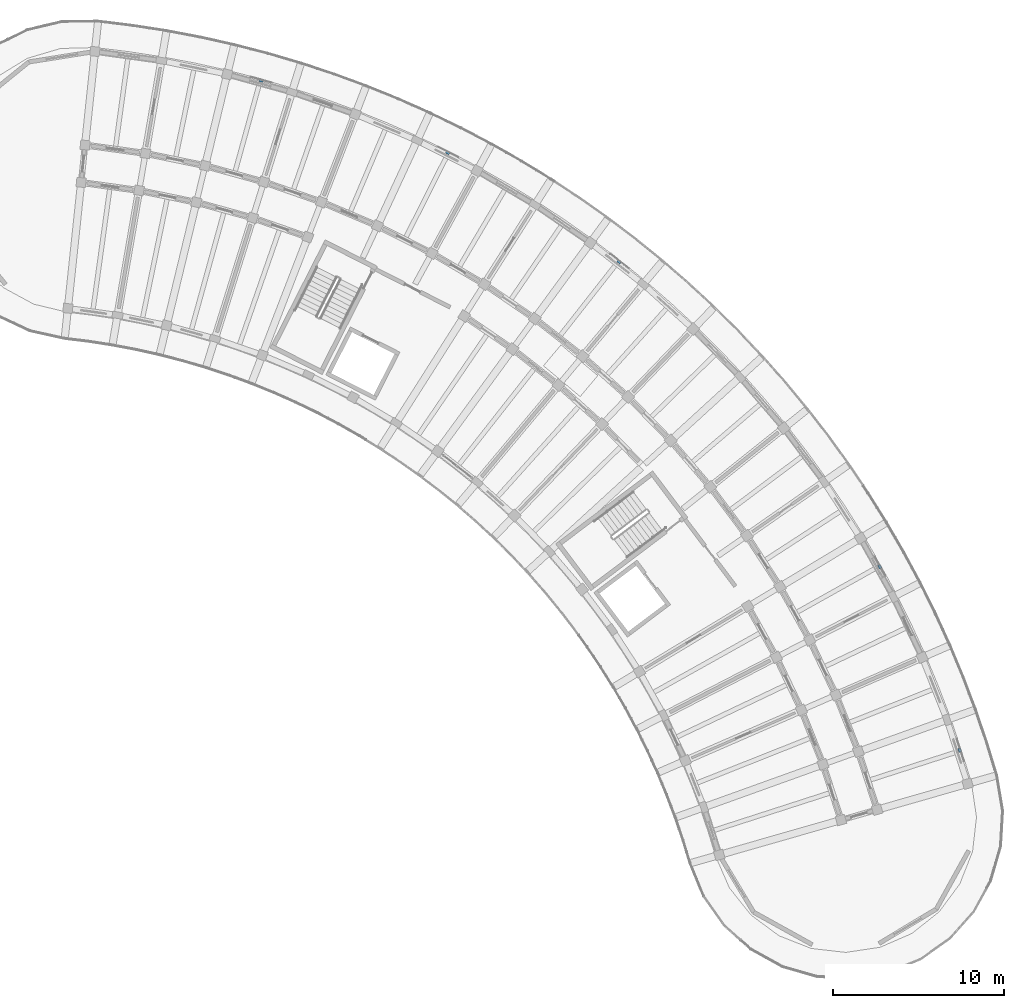
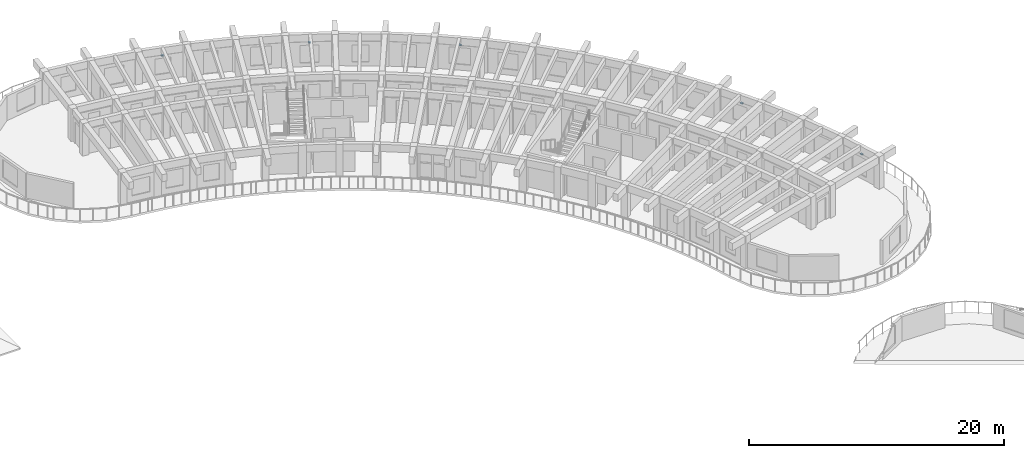
# One storey, part 64 of 81: 5 discrete accessories.
"""IFC4 building model written with IfcOpenShell, lengths in metres."""

from ifc_helpers import new_model, si_unit, direction, frame, origin, origin_2d, place, context, subcontext, project, spatial, rectangle, extrude, material, type_object, element, save


model = new_model("IFC4")

# Units and contexts
model_context = context("Model", 3, precision=1e-05, world=origin(), true_north=direction((0.0, 1.0)))
body_context = subcontext(model_context, "Body", "Model", "MODEL_VIEW")
ifc_project = project(units=[si_unit("LENGTHUNIT", "METRE"), si_unit("AREAUNIT", "SQUARE_METRE"), si_unit("VOLUMEUNIT", "CUBIC_METRE"), si_unit("PLANEANGLEUNIT", "RADIAN"), si_unit("MASSUNIT", "GRAM", prefix="KILO")], contexts=[model_context])

# Site, building, storey
site_placement = place(None, origin())
site = spatial("IfcSite", under=ifc_project, at=site_placement, CompositionType="ELEMENT")
building_placement = place(site_placement, origin())
building = spatial("IfcBuilding", under=site, at=building_placement, Name="Tanwirah Colonnade Gardens", CompositionType="ELEMENT")
storey_placement = place(building_placement, frame((0.0, 0.0, 8.840087890625)))
storey = spatial("IfcBuildingStorey", under=building, at=storey_placement, Name="L02", CompositionType="ELEMENT", Elevation=8.840087890625)

# Discrete accessories
ifc_material = material(Name="Steel S355", Category="steel")
discrete_accessory_type = type_object("IfcDiscreteAccessoryType", Name="BRK-SS1", PredefinedType="BRACKET", material=ifc_material)
for number, where, z_axis, x_axis, name in (
    (1, (177.788818359375, 78.57470703125, 2.0498046875), (0.0, 0.0, 1.0), (-0.307171739363, 0.951654098156, 0.0), "Solar screen support bracket B-L02-00"),
    (2, (173.112060546875, 89.30224609375, 2.06982421875), (0.0, 0.0, 1.0), (-0.488198368322, 0.872732692849, 0.0), "Solar screen support bracket B-L02-03"),
    (3, (157.8720703125, 107.136962890625, 2.159912109375), (0.0, 0.0, 1.0), (-0.786816013383, 0.617187622271, 0.0), "Solar screen support bracket B-L02-09"),
    (4, (147.853271484375, 113.505859375, 2.0498046875), (0.0, 0.0, 1.0), (-0.892759988233, 0.450532577524, 0.0), "Solar screen support bracket B-L02-12"),
    (5, (136.93603515625, 117.720947265625, 2.06982421875), (0.0, 0.0, 1.0), (-0.963888748144, 0.266305240659, 0.0), "Solar screen support bracket B-L02-15"),
):
    element("IfcDiscreteAccessory", number, at=place(storey_placement, frame(where, z_axis=z_axis, x_axis=x_axis)), inside=storey, type_object=discrete_accessory_type, Name=name, PredefinedType="BRACKET", context=body_context, shape_type="SweptSolid", body=[
        extrude(rectangle(XDim=0.219970703125, YDim=0.159912109375, at=origin_2d()), origin(), (0.0, 0.0, 1.0), 0.1201171875),
    ])

save(model, "model.ifc")
